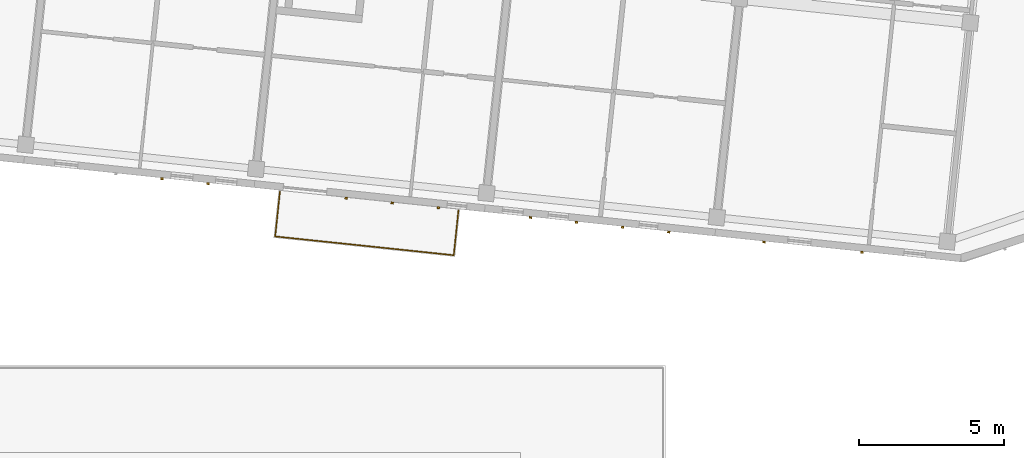
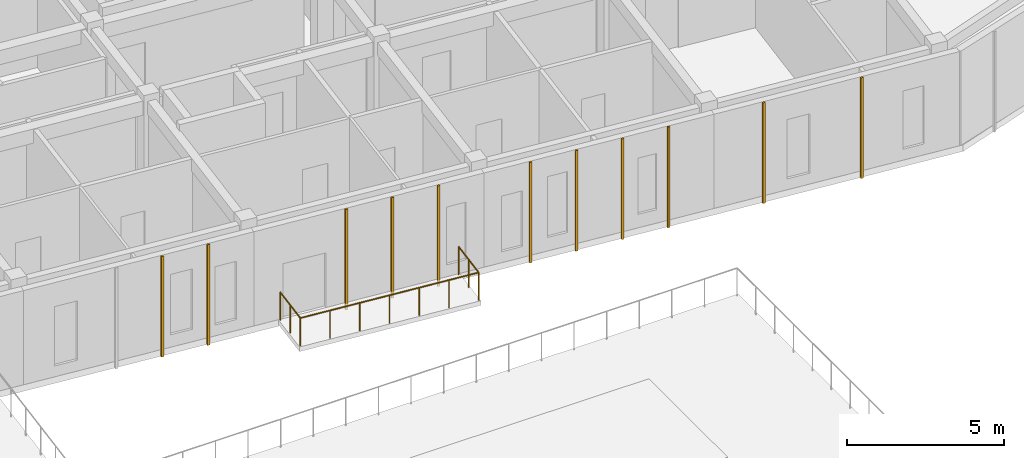
# One storey, part 146 of 150: 11 coverings, 1 railing.
"""IFC4 building model written with IfcOpenShell, lengths in metres."""

from ifc_helpers import new_model, si_unit, direction, frame, origin, origin_2d, place, context, subcontext, project, spatial, rectangle, circle, extrude, material, layer, layer_set, type_object, element, save


model = new_model("IFC4")

# Units and contexts
model_context = context("Model", 3, precision=1e-05, world=origin(), true_north=direction((0.0, 1.0)))
body_context = subcontext(model_context, "Body", "Model", "MODEL_VIEW")
ifc_project = project(units=[si_unit("LENGTHUNIT", "METRE"), si_unit("AREAUNIT", "SQUARE_METRE"), si_unit("VOLUMEUNIT", "CUBIC_METRE"), si_unit("PLANEANGLEUNIT", "RADIAN"), si_unit("MASSUNIT", "GRAM", prefix="KILO")], contexts=[model_context])

# Site, building, storey
site_placement = place(None, origin())
site = spatial("IfcSite", under=ifc_project, at=site_placement, CompositionType="ELEMENT")
building_placement = place(site_placement, origin())
building = spatial("IfcBuilding", under=site, at=building_placement, Name="Kestramere Prow Commons", CompositionType="ELEMENT")
storey_placement = place(building_placement, frame((0.0, 0.0, 4.5)))
storey = spatial("IfcBuildingStorey", under=building, at=storey_placement, Name="L01", CompositionType="ELEMENT", Elevation=4.5)

# Coverings
ifc_material_1 = material(Name="Weathered Zinc-Titanium Standing-Seam Cladding")
ifc_layer = layer(ifc_material_1, 0.074951171875)
ifc_layer_set = layer_set([ifc_layer], Name="Weathered Zinc-Titanium Standing-Seam Cladding")
covering_type = type_object("IfcCoveringType", Name="COV-CLAD-SEAM", PredefinedType="CLADDING", material=ifc_layer_set)
for number, where, z_axis, x_axis, name in (
    (1, (132.20654296875, 91.78466796875, -0.25), (0.0, 0.0, 1.0), (-0.994521895368, 0.104528463268, 0.0), "EW-B-L01-S-2 Standing-Seam Rib 1"),
    (2, (130.615234375, 91.951904296875, -0.25), (0.0, 0.0, 1.0), (-0.994521895368, 0.104528463268, 0.0), "EW-B-L01-S-2 Standing-Seam Rib 2"),
    (3, (140.16259765625, 90.948486328125, -0.25), (0.0, 0.0, 1.0), (-0.994521895368, 0.104528463268, 0.0), "EW-B-L01-S-3 Standing-Seam Rib 1"),
    (4, (138.5712890625, 91.11572265625, -0.25), (0.0, 0.0, 1.0), (-0.994521895368, 0.104528463268, 0.0), "EW-B-L01-S-3 Standing-Seam Rib 2"),
    (5, (136.980224609375, 91.282958984375, -0.25), (0.0, 0.0, 1.0), (-0.994521895368, 0.104528463268, 0.0), "EW-B-L01-S-3 Standing-Seam Rib 3"),
    (6, (148.118896484375, 90.1123046875, -0.25), (0.0, 0.0, 1.0), (-0.994521895368, 0.104528463268, 0.0), "EW-B-L01-S-4 Standing-Seam Rib 1"),
    (7, (146.527587890625, 90.279541015625, -0.25), (0.0, 0.0, 1.0), (-0.994521895368, 0.104528463268, 0.0), "EW-B-L01-S-4 Standing-Seam Rib 2"),
    (8, (144.936279296875, 90.44677734375, -0.25), (0.0, 0.0, 1.0), (-0.994521895368, 0.104528463268, 0.0), "EW-B-L01-S-4 Standing-Seam Rib 3"),
    (9, (143.34521484375, 90.614013671875, -0.25), (0.0, 0.0, 1.0), (-0.994521895368, 0.104528463268, 0.0), "EW-B-L01-S-4 Standing-Seam Rib 4"),
    (10, (154.797119140625, 89.410400390625, -0.25), (0.0, 0.0, 1.0), (-0.994521895368, 0.104528463268, 0.0), "EW-B-L01-S-5 Standing-Seam Rib 2"),
    (11, (151.40576171875, 89.766845703125, -0.25), (0.0, 0.0, 1.0), (-0.994521895368, 0.104528463268, 0.0), "EW-B-L01-S-5 Standing-Seam Rib 4"),
):
    element("IfcCovering", number, at=place(storey_placement, frame(where, z_axis=z_axis, x_axis=x_axis)), inside=storey, type_object=covering_type, Name=name, PredefinedType="CLADDING", context=body_context, shape_type="SweptSolid", body=[
        extrude(rectangle(XDim=0.0849609375, YDim=0.06494140625, at=origin_2d()), origin(), (0.0, 0.0, 1.0), 3.89990234375),
    ])

# Railing
ifc_material_2 = material(Name="Powder-Coated Aluminium 6063-T6", Category="aluminium")
railing_type = type_object("IfcRailingType", Name="GRD-BALC-1100", PredefinedType="BALUSTRADE", material=ifc_material_2)
railing_placement = place(storey_placement, frame((134.69140625, 91.510986328125, 0.0)))
element("IfcRailing", 12, at=railing_placement, inside=storey, type_object=railing_type, Name="Block B L01 Balcony Guardrail 4", PredefinedType="BALUSTRADE", context=body_context, shape_type="SweptSolid", body=[
    extrude(circle(Radius=0.02392578125, at=origin_2d()), frame((0.0, 0.0, 1.076171875), z_axis=(-0.104538150424, -0.994520877159, 0.0), x_axis=(0.994520877159, -0.104538150424, 0.0)), (0.0, 0.0, 1.0), 1.56005859375),
    extrude(circle(Radius=0.02392578125, at=origin_2d()), frame((-0.1630859375, -1.551513671875, 1.076171875), z_axis=(0.99452399338, -0.104508500096, 0.0), x_axis=(0.104508500096, 0.99452399338, 0.0)), (0.0, 0.0, 1.0), 6.199951171875),
    extrude(circle(Radius=0.02392578125, at=origin_2d()), frame((6.0029296875, -2.199462890625, 1.076171875), z_axis=(0.104538150424, 0.994520877159, 0.0), x_axis=(-0.994520877159, 0.104538150424, 0.0)), (0.0, 0.0, 1.0), 1.56005859375),
    extrude(circle(Radius=0.02099609375, at=origin_2d()), origin(), (0.0, 0.0, 1.0), 1.052001953125),
    extrude(circle(Radius=0.02099609375, at=origin_2d()), frame((-0.08154296875, -0.77587890625, 0.0)), (0.0, 0.0, 1.0), 1.052001953125),
    extrude(circle(Radius=0.02099609375, at=origin_2d()), frame((-0.1630859375, -1.551513671875, 0.0)), (0.0, 0.0, 1.0), 1.052001953125),
    extrude(circle(Radius=0.02099609375, at=origin_2d()), frame((0.864501953125, -1.659423828125, 0.0)), (0.0, 0.0, 1.0), 1.052001953125),
    extrude(circle(Radius=0.02099609375, at=origin_2d()), frame((1.892333984375, -1.767578125, 0.0)), (0.0, 0.0, 1.0), 1.052001953125),
    extrude(circle(Radius=0.02099609375, at=origin_2d()), frame((2.919921875, -1.87548828125, 0.0)), (0.0, 0.0, 1.0), 1.052001953125),
    extrude(circle(Radius=0.02099609375, at=origin_2d()), frame((3.947509765625, -1.9833984375, 0.0)), (0.0, 0.0, 1.0), 1.052001953125),
    extrude(circle(Radius=0.02099609375, at=origin_2d()), frame((4.975341796875, -2.091552734375, 0.0)), (0.0, 0.0, 1.0), 1.052001953125),
    extrude(circle(Radius=0.02099609375, at=origin_2d()), frame((6.0029296875, -2.199462890625, 0.0)), (0.0, 0.0, 1.0), 1.052001953125),
    extrude(circle(Radius=0.02099609375, at=origin_2d()), frame((6.08447265625, -1.423828125, 0.0)), (0.0, 0.0, 1.0), 1.052001953125),
    extrude(circle(Radius=0.02099609375, at=origin_2d()), frame((6.166015625, -0.64794921875, 0.0)), (0.0, 0.0, 1.0), 1.052001953125),
])

save(model, "model.ifc")
